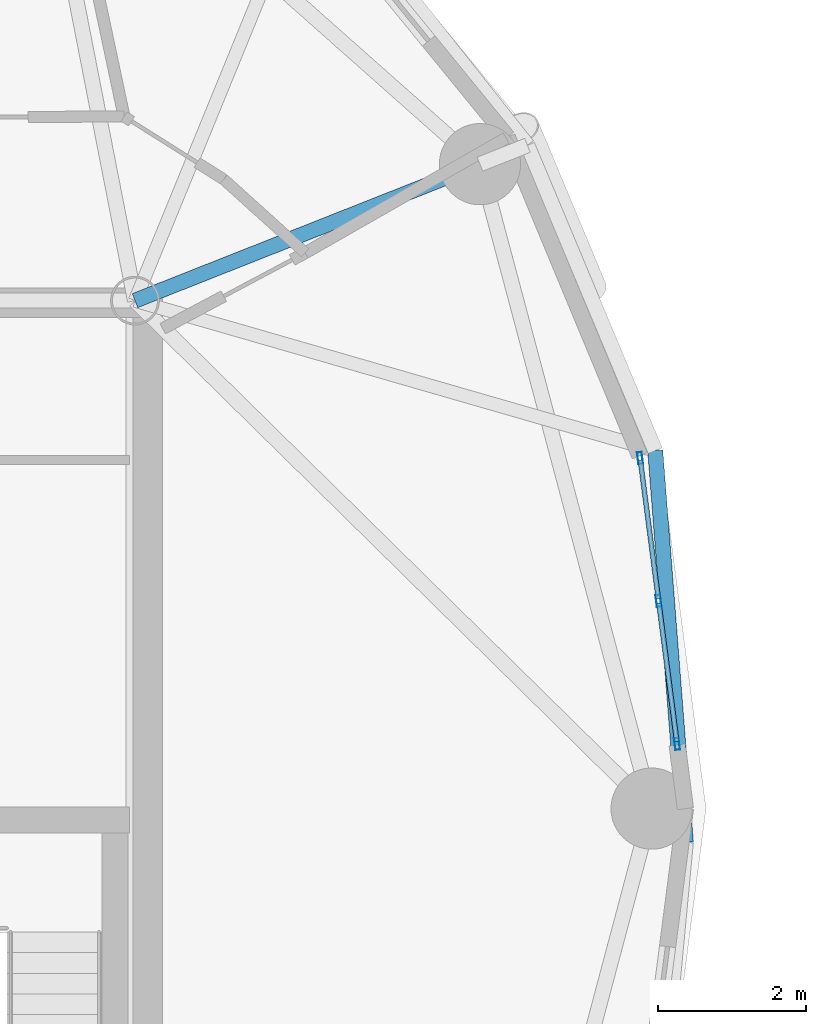
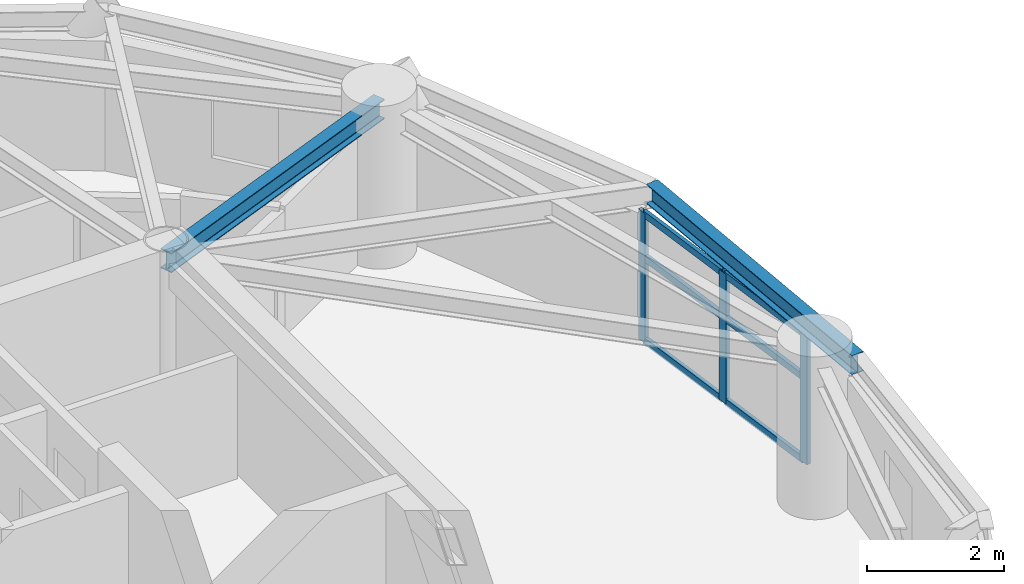
# One storey, part 3 of 17: 9 members, 2 beams, 1 element without a shape of its own.
"""IFC4 building model written with IfcOpenShell, lengths in metres."""

import ifcopenshell
import ifcopenshell.guid

model = None  # the IFC model being written
_history = None  # IfcOwnerHistory: only IFC2X3 demands one
_inside = {}  # id of a spatial element -> (the spatial element, [elements in it])
_under = {}  # id of a project, library or spatial element -> (it, [spatial elements below it])
_declared = {}  # id of a project -> (the project, [libraries it declares])
_typed = {}  # id of a type object -> (the type object, [elements of that type])
_made_of = {}  # id of a material, layer set ... -> (it, [elements and type objects made of it])


def new_model(schema):
    """Start an empty IFC model of exactly this schema.

    Asked for "IFC4X3", IfcOpenShell would pick the latest addendum, in which some entities
    have other attributes; the version numbers below select the first issue.
    IFC2X3 requires an IfcOwnerHistory on every rooted entity: one is made here for all.
    """
    global model, _history
    if schema == "IFC4X3":
        model = ifcopenshell.file(schema_version=(4, 3, 0, 0))
    else:
        model = ifcopenshell.file(schema=schema)
    _inside.clear()
    _under.clear()
    _declared.clear()
    _typed.clear()
    _made_of.clear()
    _history = None
    if model.schema == "IFC2X3":
        org = make("IfcOrganization", Name="unknown")
        user = make(
            "IfcPersonAndOrganization",
            ThePerson=make("IfcPerson", FamilyName="unknown"),
            TheOrganization=org,
        )
        app = make(
            "IfcApplication",
            ApplicationDeveloper=org,
            Version="unknown",
            ApplicationFullName="unknown",
            ApplicationIdentifier="unknown",
        )
        _history = make(
            "IfcOwnerHistory",
            OwningUser=user,
            OwningApplication=app,
            ChangeAction="ADDED",
            CreationDate=0,
        )
    return model


def make(cls, **values):
    """One entity of the class cls with the attributes given. An attribute that is None is left unset."""
    return model.create_entity(
        cls, **{name: value for name, value in values.items() if value is not None}
    )


def rooted(cls, **values):
    """An entity with a GlobalId (a new one), such as an element, a storey or a relation."""
    return make(cls, GlobalId=ifcopenshell.guid.new(), OwnerHistory=_history, **values)


def si_unit(unit_type, name, prefix=None):
    """IfcSIUnit, for example si_unit("LENGTHUNIT", "METRE", prefix="MILLI")."""
    return make("IfcSIUnit", UnitType=unit_type, Prefix=prefix, Name=name)


def assignment(units):
    """IfcUnitAssignment: the units of a project."""
    return None if units is None else make("IfcUnitAssignment", Units=units)


def point(xyz):
    """IfcCartesianPoint."""
    return None if xyz is None else make("IfcCartesianPoint", Coordinates=xyz)


def direction(xyz):
    """IfcDirection."""
    return None if xyz is None else make("IfcDirection", DirectionRatios=xyz)


def frame(location, z_axis=None, x_axis=None):
    """IfcAxis2Placement3D, a coordinate frame: its origin and axes. An axis left out is left unset."""
    return make(
        "IfcAxis2Placement3D",
        Location=point(location),
        Axis=direction(z_axis),
        RefDirection=direction(x_axis),
    )


def frame_2d(location, x_axis=None):
    """IfcAxis2Placement2D, a coordinate frame in the plane: its origin and x axis."""
    return make(
        "IfcAxis2Placement2D", Location=point(location), RefDirection=direction(x_axis)
    )


def origin():
    """The frame at (0, 0, 0) with its axes left unset."""
    return frame((0.0, 0.0, 0.0))


def origin_2d():
    """The frame at (0, 0) in the plane with its x axis left unset."""
    return frame_2d((0.0, 0.0))


def place(relative_to, where):
    """IfcLocalPlacement: puts the frame where relative to a parent placement (None: the world)."""
    return make(
        "IfcLocalPlacement", PlacementRelTo=relative_to, RelativePlacement=where
    )


def context(
    kind, dimensions, precision=None, world=None, true_north=None, identifier=None
):
    """IfcGeometricRepresentationContext, for example the 3D "Model" context."""
    return make(
        "IfcGeometricRepresentationContext",
        ContextIdentifier=identifier,
        ContextType=kind,
        CoordinateSpaceDimension=dimensions,
        Precision=precision,
        WorldCoordinateSystem=world,
        TrueNorth=true_north,
    )


def subcontext(parent, identifier, kind, view, scale=None):
    """IfcGeometricRepresentationSubContext, for example "Body" below "Model"."""
    return make(
        "IfcGeometricRepresentationSubContext",
        ContextIdentifier=identifier,
        ContextType=kind,
        ParentContext=parent,
        TargetScale=scale,
        TargetView=view,
    )


def project(units=None, contexts=None):
    """IfcProject with its units and contexts."""
    return rooted(
        "IfcProject",
        Name="project",
        RepresentationContexts=contexts,
        UnitsInContext=assignment(units),
    )


def spatial(cls, under=None, at=None, **own):
    """A site, building, storey or space (cls), placed at a placement, below another one or the project."""
    s = rooted(cls, ObjectPlacement=at, **own)
    if under is not None:
        _under.setdefault(under.id(), (under, []))[1].append(s)
    return s


def profile(cls, at=None, kind="AREA", **sizes):
    """A parametric profile (cls). Its sizes go by their IFC names, for example OverallWidth=200.0."""
    return make(cls, ProfileType=kind, Position=at, **sizes)


def hollow_rectangle(**sizes):
    """IfcRectangleHollowProfileDef."""
    return profile("IfcRectangleHollowProfileDef", **sizes)


def i_section(**sizes):
    """IfcIShapeProfileDef."""
    return profile("IfcIShapeProfileDef", **sizes)


def extrude(swept, where, along, depth):
    """IfcExtrudedAreaSolid: the profile swept, set in the frame where, extruded along a direction by depth."""
    return make(
        "IfcExtrudedAreaSolid",
        SweptArea=swept,
        Position=where,
        ExtrudedDirection=direction(along),
        Depth=depth,
    )


def shape(context_of_items, identifier, shape_type, items):
    """IfcShapeRepresentation: the items that make up one representation, for example the "Body"."""
    return make(
        "IfcShapeRepresentation",
        ContextOfItems=context_of_items,
        RepresentationIdentifier=identifier,
        RepresentationType=shape_type,
        Items=items,
    )


def material(Name=None, Category=None):
    """IfcMaterial."""
    return make("IfcMaterial", Name=Name, Category=Category)


def layer(
    of_material, thickness, ventilated=None, Name=None, Category=None, Priority=None
):
    """IfcMaterialLayer: one layer of a wall or slab, of a material (None: an air gap)."""
    return make(
        "IfcMaterialLayer",
        Material=of_material,
        LayerThickness=thickness,
        IsVentilated=ventilated,
        Name=Name,
        Category=Category,
        Priority=Priority,
    )


def layer_set(layers, Name=None):
    """IfcMaterialLayerSet."""
    return make("IfcMaterialLayerSet", MaterialLayers=layers, LayerSetName=Name)


def material_profile(
    of_material, cross_section, Name=None, Category=None, Priority=None
):
    """IfcMaterialProfile: a cross section and its material."""
    return make(
        "IfcMaterialProfile",
        Name=Name,
        Material=of_material,
        Profile=cross_section,
        Priority=Priority,
        Category=Category,
    )


def profile_set(profiles, Name=None, composite=None):
    """IfcMaterialProfileSet."""
    return make(
        "IfcMaterialProfileSet",
        Name=Name,
        MaterialProfiles=profiles,
        CompositeProfile=composite,
    )


def made_of(thing, what):
    """Note that an element or type object is made of a material, layer set ...; save() writes the relation."""
    if what is not None:
        _made_of.setdefault(what.id(), (what, []))[1].append(thing)
    return thing


def type_object(cls, material=None, **own):
    """A type object (cls), such as IfcWallType, which elements share."""
    return made_of(rooted(cls, **own), material)


def element(
    cls,
    number,
    at=None,
    inside=None,
    cuts=None,
    type_object=None,
    material=None,
    context=None,
    identifier="Body",
    shape_type=None,
    held_by="IfcProductDefinitionShape",
    body=None,
    shapes=None,
    **own,
):
    """One element of the class cls, such as IfcWall. Its Tag is "e" and its number.

    at: its placement. inside: the storey or other place that contains it. cuts: it is an
    opening in that element (IfcRelVoidsElement). A single representation is given by context,
    identifier, shape_type and body (its items); several are given by shapes. held_by: the class
    of the entity that holds the representations. save() writes the other relations.
    """
    e = rooted(cls, Tag="e%d" % number, ObjectPlacement=at, **own)
    if body is not None:
        shapes = [shape(context, identifier, shape_type, body)]
    if shapes is not None:
        e.Representation = make(held_by, Representations=shapes)
    if inside is not None:
        _inside.setdefault(inside.id(), (inside, []))[1].append(e)
    if cuts is not None:
        rooted(
            "IfcRelVoidsElement", RelatingBuildingElement=cuts, RelatedOpeningElement=e
        )
    if type_object is not None:
        _typed.setdefault(type_object.id(), (type_object, []))[1].append(e)
    return made_of(e, material)


def aggregate(whole, parts):
    """IfcRelAggregates: a whole, such as a stair, and the parts it consists of."""
    return rooted("IfcRelAggregates", RelatingObject=whole, RelatedObjects=parts)


def save(model, path):
    """Write the relations noted so far, then the file.

    IfcRelAggregates (storeys below a building ...), IfcRelContainedInSpatialStructure (elements
    in a storey), IfcRelDefinesByType, IfcRelAssociatesMaterial and IfcRelDeclares: one each for
    every whole, place, type object, material and project.
    """
    for whole, parts in _under.values():
        aggregate(whole, parts)
    for where, things in _inside.values():
        rooted(
            "IfcRelContainedInSpatialStructure",
            RelatedElements=things,
            RelatingStructure=where,
        )
    for kind, things in _typed.values():
        rooted("IfcRelDefinesByType", RelatedObjects=things, RelatingType=kind)
    for what, things in _made_of.values():
        rooted("IfcRelAssociatesMaterial", RelatedObjects=things, RelatingMaterial=what)
    for by, libraries in _declared.values():
        rooted("IfcRelDeclares", RelatingContext=by, RelatedDefinitions=libraries)
    model.write(path)


model = new_model("IFC4")

# Units and contexts
model_context = context("Model", 3, precision=1e-05, world=origin(), true_north=direction((0.0, 1.0)))
body_context = subcontext(model_context, "Body", "Model", "MODEL_VIEW")
ifc_project = project(units=[si_unit("LENGTHUNIT", "METRE"), si_unit("AREAUNIT", "SQUARE_METRE"), si_unit("VOLUMEUNIT", "CUBIC_METRE"), si_unit("PLANEANGLEUNIT", "RADIAN"), si_unit("MASSUNIT", "GRAM", prefix="KILO")], contexts=[model_context])

# Site, building, storey
site_placement = place(None, origin())
site = spatial("IfcSite", under=ifc_project, at=site_placement, CompositionType="ELEMENT")
building_placement = place(site_placement, origin())
building = spatial("IfcBuilding", under=site, at=building_placement, Name="Cununo Teusaquillo Station Towers", CompositionType="ELEMENT")
storey_placement = place(building_placement, frame((0.0, 0.0, 205.389892578125)))
storey = spatial("IfcBuildingStorey", under=building, at=storey_placement, Name="L65", CompositionType="ELEMENT", Elevation=205.389892578125)

# Beams
ifc_material_1 = material(Name="Steel ASTM A572 Grade 50", Category="steel")
ifc_material_profile_1 = material_profile(ifc_material_1, i_section(OverallWidth=0.2041015625, OverallDepth=0.35009765625, WebThickness=0.008544921875, FlangeThickness=0.01513671875, FilletRadius=0.011962890625, at=origin_2d()), Name="W14X48")
ifc_profile_set_1 = profile_set([ifc_material_profile_1], Name="Steel ASTM A572 Grade 50")
beam_type_1 = type_object("IfcBeamType", Name="BM-RAD-G3", PredefinedType="BEAM", material=ifc_profile_set_1)
beam_1_placement = place(storey_placement, frame((21.675048828125, 31.3798828125, 2.525146484375), z_axis=(0.929864104313, 0.367903176814, 0.0), x_axis=(-0.367903176814, 0.929864104313, 0.0)))
element("IfcBeam", 1, at=beam_1_placement, inside=storey, type_object=beam_type_1, Name="L65 Tower A Radial Girder 02A", PredefinedType="BEAM", context=body_context, shape_type="SweptSolid", body=[
    extrude(i_section(OverallWidth=0.2041015625, OverallDepth=0.35009765625, WebThickness=0.008544921875, FlangeThickness=0.01513671875, FilletRadius=0.011962890625, at=origin_2d()), origin(), (0.0, 0.0, 1.0), 5.02490234375),
])
ifc_material_2 = material(Name="Steel ASTM A572 Grade 50", Category="steel")
ifc_material_profile_2 = material_profile(ifc_material_2, i_section(OverallWidth=0.2041015625, OverallDepth=0.35009765625, WebThickness=0.008544921875, FlangeThickness=0.01513671875, FilletRadius=0.011962890625, at=origin_2d()), Name="W14X48")
ifc_profile_set_2 = profile_set([ifc_material_profile_2], Name="Steel ASTM A572 Grade 50")
beam_type_2 = type_object("IfcBeamType", Name="BM-RING-Z4", PredefinedType="SPANDREL", material=ifc_profile_set_2)
beam_2_placement = place(storey_placement, frame((29.135498046875, 24.044189453125, 2.525146484375), z_axis=(-0.077871988965, 0.996963366095, 0.0), x_axis=(-0.996963366095, -0.077871988965, 0.0)))
element("IfcBeam", 2, at=beam_2_placement, inside=storey, type_object=beam_type_2, Name="L65 Tower A Spandrel Ring Beam 01", PredefinedType="SPANDREL", context=body_context, shape_type="SweptSolid", body=[
    extrude(i_section(OverallWidth=0.2041015625, OverallDepth=0.35009765625, WebThickness=0.008544921875, FlangeThickness=0.01513671875, FilletRadius=0.011962890625, at=origin_2d()), origin(), (0.0, 0.0, 1.0), 5.3203125),
])

# Curtain wall, members
ifc_material_3 = material(Name="Ceramic-fritted dark low-E double glazing", Category="glass")
ifc_layer = layer(ifc_material_3, 0.179931640625)
ifc_layer_set = layer_set([ifc_layer], Name="Ceramic-fritted dark low-E double glazing")
curtain_wall_type = type_object("IfcCurtainWallType", Name="CW-SYS-07", PredefinedType="USERDEFINED", material=ifc_layer_set)
curtain_wall_placement = place(storey_placement, origin())
curtain_wall = element("IfcCurtainWall", 3, at=curtain_wall_placement, inside=storey, type_object=curtain_wall_type, Name="L65 Tower A Facade Curtain Wall C00", ObjectType="FRITTED GLAZING", PredefinedType="USERDEFINED")
ifc_material_4 = material(Name="Anodised dark bronze aluminium EN AW-6063-T6", Category="aluminium")
ifc_material_profile_3 = material_profile(ifc_material_4, hollow_rectangle(XDim=0.06494140625, YDim=0.159912109375, WallThickness=0.00390625, at=origin_2d()), Name="CW-MULL-65x160")
ifc_profile_set_3 = profile_set([ifc_material_profile_3], Name="Anodised dark bronze aluminium EN AW-6063-T6")
member_type_1 = type_object("IfcMemberType", Name="CWM-160", PredefinedType="MULLION", material=ifc_profile_set_3)
member_1_placement = place(storey_placement, frame((28.515869140625, 29.248291015625, 0.0), z_axis=(0.0, 0.0, 1.0), x_axis=(0.991741528461, 0.12825264413, 0.0)))
member_1 = element("IfcMember", 4, at=member_1_placement, type_object=member_type_1, Name="CW-07 mullion 1", PredefinedType="MULLION", context=body_context, shape_type="SweptSolid", body=[
    extrude(hollow_rectangle(XDim=0.06494140625, YDim=0.159912109375, WallThickness=0.00390625, at=origin_2d()), origin(), (0.0, 0.0, 1.0), 2.322021484375),
])
member_2_placement = place(storey_placement, frame((28.766357421875, 27.311767578125, 0.0), z_axis=(0.0, 0.0, 1.0), x_axis=(0.991741528461, 0.12825264413, 0.0)))
member_2 = element("IfcMember", 5, at=member_2_placement, type_object=member_type_1, Name="CW-07 mullion 2", PredefinedType="MULLION", context=body_context, shape_type="SweptSolid", body=[
    extrude(hollow_rectangle(XDim=0.06494140625, YDim=0.159912109375, WallThickness=0.00390625, at=origin_2d()), origin(), (0.0, 0.0, 1.0), 2.322021484375),
])
member_3_placement = place(storey_placement, frame((29.016845703125, 25.375244140625, 0.0), z_axis=(0.0, 0.0, 1.0), x_axis=(0.991741528461, 0.12825264413, 0.0)))
member_3 = element("IfcMember", 6, at=member_3_placement, type_object=member_type_1, Name="CW-07 mullion 3", PredefinedType="MULLION", context=body_context, shape_type="SweptSolid", body=[
    extrude(hollow_rectangle(XDim=0.06494140625, YDim=0.159912109375, WallThickness=0.00390625, at=origin_2d()), origin(), (0.0, 0.0, 1.0), 2.322021484375),
])
ifc_material_5 = material(Name="Anodised dark bronze aluminium EN AW-6063-T6", Category="aluminium")
ifc_material_profile_4 = material_profile(ifc_material_5, hollow_rectangle(XDim=0.06494140625, YDim=0.1201171875, WallThickness=0.00390625, at=origin_2d()), Name="CW-TRAN-65x120")
ifc_profile_set_4 = profile_set([ifc_material_profile_4], Name="Anodised dark bronze aluminium EN AW-6063-T6")
member_type_2 = type_object("IfcMemberType", Name="CWT-120", PredefinedType="USERDEFINED", material=ifc_profile_set_4)
member_4_placement = place(storey_placement, frame((28.52001953125, 29.216064453125, 0.03271484375), z_axis=(0.128299630595, -0.99173545101, 0.0), x_axis=(0.99173545101, 0.128299630595, 0.0)))
member_4 = element("IfcMember", 7, at=member_4_placement, type_object=member_type_2, Name="CW-07 transom 1.1", ObjectType="TRANSOM", PredefinedType="USERDEFINED", context=body_context, shape_type="SweptSolid", body=[
    extrude(hollow_rectangle(XDim=0.06494140625, YDim=0.1201171875, WallThickness=0.00390625, at=origin_2d()), origin(), (0.0, 0.0, 1.0), 1.8876953125),
])
member_5_placement = place(storey_placement, frame((28.52001953125, 29.216064453125, 1.509033203125), z_axis=(0.128299630595, -0.99173545101, 0.0), x_axis=(0.99173545101, 0.128299630595, 0.0)))
member_5 = element("IfcMember", 8, at=member_5_placement, type_object=member_type_2, Name="CW-07 transom 1.2", ObjectType="TRANSOM", PredefinedType="USERDEFINED", context=body_context, shape_type="SweptSolid", body=[
    extrude(hollow_rectangle(XDim=0.06494140625, YDim=0.1201171875, WallThickness=0.00390625, at=origin_2d()), origin(), (0.0, 0.0, 1.0), 1.8876953125),
])
member_6_placement = place(storey_placement, frame((28.52001953125, 29.216064453125, 2.28955078125), z_axis=(0.128299630595, -0.99173545101, 0.0), x_axis=(0.99173545101, 0.128299630595, 0.0)))
member_6 = element("IfcMember", 9, at=member_6_placement, type_object=member_type_2, Name="CW-07 transom 1.3", ObjectType="TRANSOM", PredefinedType="USERDEFINED", context=body_context, shape_type="SweptSolid", body=[
    extrude(hollow_rectangle(XDim=0.06494140625, YDim=0.1201171875, WallThickness=0.00390625, at=origin_2d()), origin(), (0.0, 0.0, 1.0), 1.8876953125),
])
member_7_placement = place(storey_placement, frame((28.7705078125, 27.279541015625, 0.03271484375), z_axis=(0.128299630595, -0.99173545101, 0.0), x_axis=(0.99173545101, 0.128299630595, 0.0)))
member_7 = element("IfcMember", 10, at=member_7_placement, type_object=member_type_2, Name="CW-07 transom 2.1", ObjectType="TRANSOM", PredefinedType="USERDEFINED", context=body_context, shape_type="SweptSolid", body=[
    extrude(hollow_rectangle(XDim=0.06494140625, YDim=0.1201171875, WallThickness=0.00390625, at=origin_2d()), origin(), (0.0, 0.0, 1.0), 1.8876953125),
])
member_8_placement = place(storey_placement, frame((28.7705078125, 27.279541015625, 1.509033203125), z_axis=(0.128299630595, -0.99173545101, 0.0), x_axis=(0.99173545101, 0.128299630595, 0.0)))
member_8 = element("IfcMember", 11, at=member_8_placement, type_object=member_type_2, Name="CW-07 transom 2.2", ObjectType="TRANSOM", PredefinedType="USERDEFINED", context=body_context, shape_type="SweptSolid", body=[
    extrude(hollow_rectangle(XDim=0.06494140625, YDim=0.1201171875, WallThickness=0.00390625, at=origin_2d()), origin(), (0.0, 0.0, 1.0), 1.8876953125),
])
member_9_placement = place(storey_placement, frame((28.7705078125, 27.279541015625, 2.28955078125), z_axis=(0.128299630595, -0.99173545101, 0.0), x_axis=(0.99173545101, 0.128299630595, 0.0)))
member_9 = element("IfcMember", 12, at=member_9_placement, type_object=member_type_2, Name="CW-07 transom 2.3", ObjectType="TRANSOM", PredefinedType="USERDEFINED", context=body_context, shape_type="SweptSolid", body=[
    extrude(hollow_rectangle(XDim=0.06494140625, YDim=0.1201171875, WallThickness=0.00390625, at=origin_2d()), origin(), (0.0, 0.0, 1.0), 1.8876953125),
])
aggregate(curtain_wall, [member_1, member_2, member_3, member_4, member_5, member_6, member_7, member_8, member_9])

save(model, "model.ifc")
